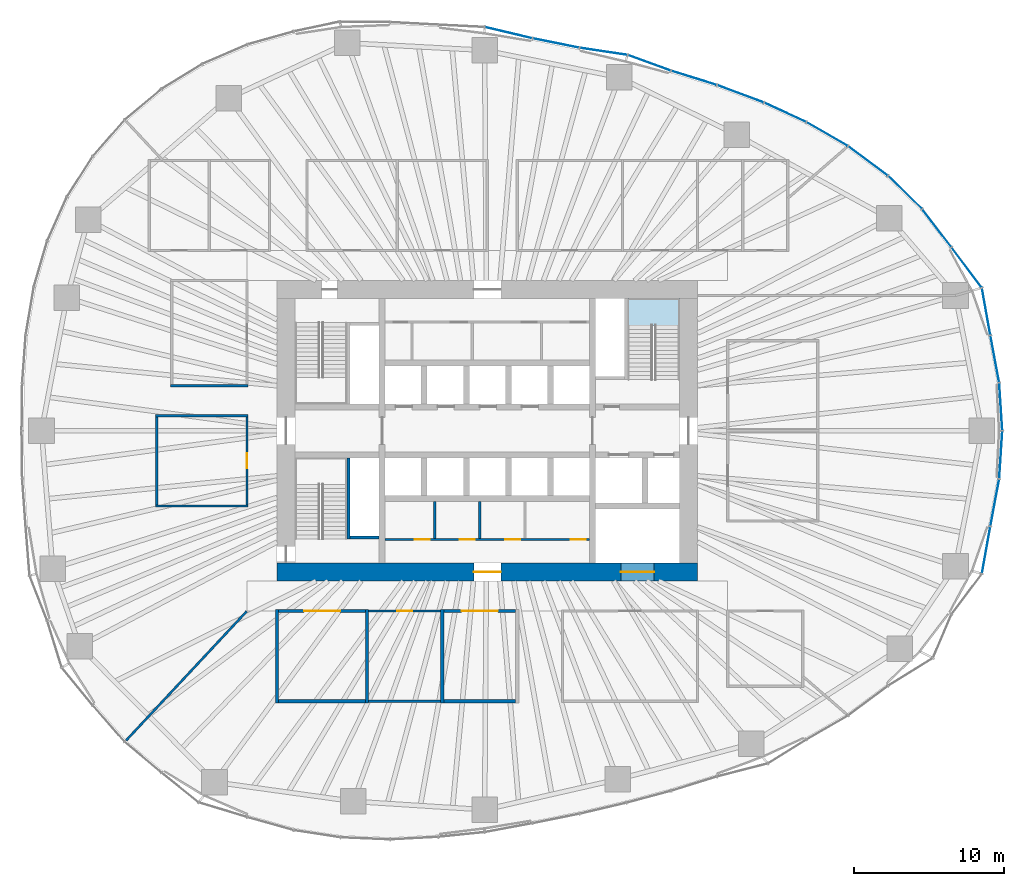
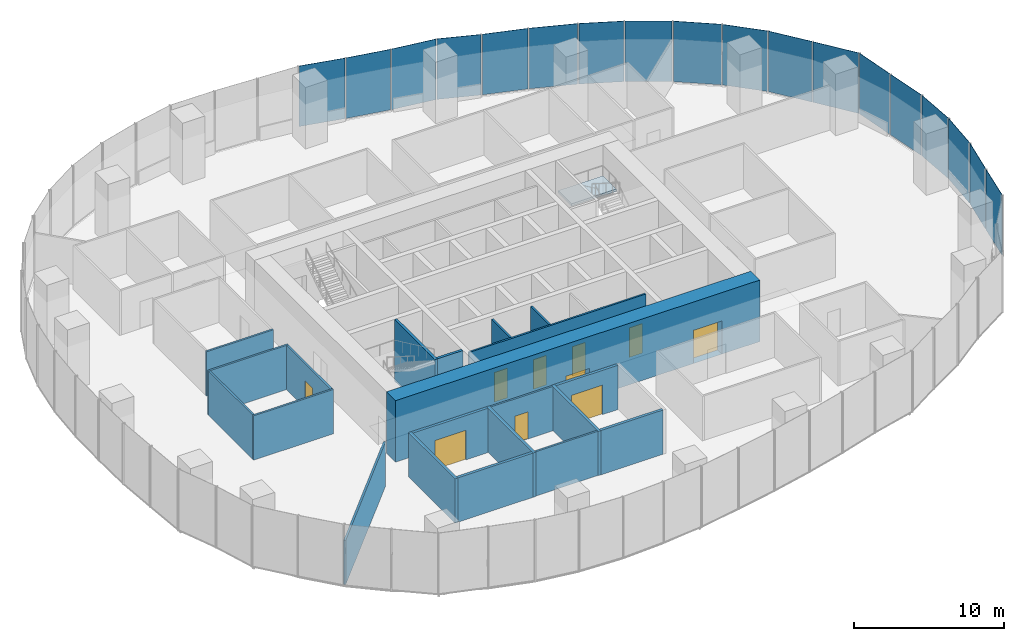
# One storey, part 9 of 19: 21 walls, 18 plates, 10 doors, 1 slab, 10 openings, 7 elements without a shape of their own.
"""IFC4 building model written with IfcOpenShell, lengths in metres."""

from ifc_helpers import new_model, si_unit, direction, frame, frame_2d, origin, origin_2d, place, context, subcontext, project, spatial, polyline, rectangle, outline, extrude, material, layer, layer_set, type_object, element, fill, aggregate, save


model = new_model("IFC4")

# Units and contexts
model_context = context("Model", 3, precision=1e-05, world=origin(), true_north=direction((0.0, 1.0)))
body_context = subcontext(model_context, "Body", "Model", "MODEL_VIEW")
ifc_project = project(units=[si_unit("LENGTHUNIT", "METRE"), si_unit("AREAUNIT", "SQUARE_METRE"), si_unit("VOLUMEUNIT", "CUBIC_METRE"), si_unit("PLANEANGLEUNIT", "RADIAN"), si_unit("MASSUNIT", "GRAM", prefix="KILO")], contexts=[model_context])

# Site, building, storey
site_placement = place(None, origin())
site = spatial("IfcSite", under=ifc_project, at=site_placement, CompositionType="ELEMENT")
building_placement = place(site_placement, origin())
building = spatial("IfcBuilding", under=site, at=building_placement, Name="Ghaith Harvest Tower", CompositionType="ELEMENT")
storey_placement = place(building_placement, frame((0.0, 0.0, 70.0)))
storey = spatial("IfcBuildingStorey", under=building, at=storey_placement, Name="L14", CompositionType="ELEMENT", Elevation=70.0)

# Curtain wall, plates
ifc_material_1 = material(Name="Black anodised aluminium and fritted glass", Category="aluminium")
curtain_wall_type = type_object("IfcCurtainWallType", Name="CW-F CURTAIN WALL", PredefinedType="NOTDEFINED", material=ifc_material_1)
curtain_wall_1_placement = place(storey_placement, origin())
curtain_wall_1 = element("IfcCurtainWall", 1, at=curtain_wall_1_placement, inside=storey, type_object=curtain_wall_type, Name="Curtain wall CW-F bay 01 L14", PredefinedType="NOTDEFINED")
ifc_material_2 = material(Name="Glass, high-transmission fritted double glazed unit", Category="glass")
ifc_layer_1 = layer(ifc_material_2, 0.028076171875)
ifc_layer_set_1 = layer_set([ifc_layer_1], Name="CW-F VISION PANEL")
plate_type = type_object("IfcPlateType", Name="CW-F VISION PANEL", PredefinedType="CURTAIN_PANEL", material=ifc_layer_set_1)
plate_1_placement = place(storey_placement, frame((34.181396484375, 1.602783203125, 0.080078125), z_axis=(0.0, 0.0, 1.0), x_axis=(-0.064445645786, 0.997921218704, 0.0)))
plate_1 = element("IfcPlate", 2, at=plate_1_placement, type_object=plate_type, Name="CW-F panel 1 bay 01 L14", PredefinedType="CURTAIN_PANEL", context=body_context, shape_type="SweptSolid", body=[
    extrude(rectangle(XDim=3.132080078125, YDim=0.028076171875, at=origin_2d()), origin(), (0.0, 0.0, 1.0), 4.919921875),
])
plate_2_placement = place(storey_placement, frame((33.78369140625, 4.78076171875, 0.080078125), z_axis=(0.0, 0.0, 1.0), x_axis=(-0.183569249502, 0.983006780565, 0.0)))
plate_2 = element("IfcPlate", 3, at=plate_2_placement, type_object=plate_type, Name="CW-F panel 2 bay 01 L14", PredefinedType="CURTAIN_PANEL", context=body_context, shape_type="SweptSolid", body=[
    extrude(rectangle(XDim=3.12548828125, YDim=0.028076171875, at=origin_2d()), origin(), (0.0, 0.0, 1.0), 4.919921875),
])
plate_3_placement = place(storey_placement, frame((33.20654296875, 7.93603515625, 0.080078125), z_axis=(0.0, 0.0, 1.0), x_axis=(-0.176319663586, 0.984332960046, 0.0)))
plate_3 = element("IfcPlate", 4, at=plate_3_placement, type_object=plate_type, Name="CW-F panel 3 bay 01 L14", PredefinedType="CURTAIN_PANEL", context=body_context, shape_type="SweptSolid", body=[
    extrude(rectangle(XDim=3.129638671875, YDim=0.028076171875, at=origin_2d()), origin(), (0.0, 0.0, 1.0), 4.919921875),
])
aggregate(curtain_wall_1, [plate_1, plate_2, plate_3])

curtain_wall_2_placement = place(storey_placement, origin())
curtain_wall_2 = element("IfcCurtainWall", 5, at=curtain_wall_2_placement, inside=storey, type_object=curtain_wall_type, Name="Curtain wall CW-F bay 02 L14", PredefinedType="NOTDEFINED")
plate_4_placement = place(storey_placement, frame((31.91015625, 10.865234375, 0.080078125), z_axis=(0.0, 0.0, 1.0), x_axis=(-0.600454091192, 0.799659230154, 0.0)))
plate_4 = element("IfcPlate", 6, at=plate_4_placement, type_object=plate_type, Name="CW-F panel 1 bay 02 L14", PredefinedType="CURTAIN_PANEL", context=body_context, shape_type="SweptSolid", body=[
    extrude(rectangle(XDim=3.295654296875, YDim=0.028076171875, at=origin_2d()), origin(), (0.0, 0.0, 1.0), 4.919921875),
])
plate_5_placement = place(storey_placement, frame((29.921875, 13.4892578125, 0.080078125), z_axis=(0.0, 0.0, 1.0), x_axis=(-0.607611877494, 0.794234100457, 0.0)))
plate_5 = element("IfcPlate", 7, at=plate_5_placement, type_object=plate_type, Name="CW-F panel 2 bay 02 L14", PredefinedType="CURTAIN_PANEL", context=body_context, shape_type="SweptSolid", body=[
    extrude(rectangle(XDim=3.128662109375, YDim=0.028076171875, at=origin_2d()), origin(), (0.0, 0.0, 1.0), 4.919921875),
])
plate_6_placement = place(storey_placement, frame((27.810546875, 15.869384765625, 0.080078125), z_axis=(0.0, 0.0, 1.0), x_axis=(-0.716691335472, 0.69739051446, 0.0)))
plate_6 = element("IfcPlate", 8, at=plate_6_placement, type_object=plate_type, Name="CW-F panel 3 bay 02 L14", PredefinedType="CURTAIN_PANEL", context=body_context, shape_type="SweptSolid", body=[
    extrude(rectangle(XDim=3.092041015625, YDim=0.028076171875, at=origin_2d()), origin(), (0.0, 0.0, 1.0), 4.919921875),
])
aggregate(curtain_wall_2, [plate_4, plate_5, plate_6])

curtain_wall_3_placement = place(storey_placement, origin())
curtain_wall_3 = element("IfcCurtainWall", 9, at=curtain_wall_3_placement, inside=storey, type_object=curtain_wall_type, Name="Curtain wall CW-F bay 03 L14", PredefinedType="NOTDEFINED")
plate_7_placement = place(storey_placement, frame((25.34619140625, 17.96142578125, 0.080078125), z_axis=(0.0, 0.0, 1.0), x_axis=(-0.802866788578, 0.596158468697, 0.0)))
plate_7 = element("IfcPlate", 10, at=plate_7_placement, type_object=plate_type, Name="CW-F panel 1 bay 03 L14", PredefinedType="CURTAIN_PANEL", context=body_context, shape_type="SweptSolid", body=[
    extrude(rectangle(XDim=3.2275390625, YDim=0.028076171875, at=origin_2d()), origin(), (0.0, 0.0, 1.0), 4.919921875),
])
plate_8_placement = place(storey_placement, frame((22.626953125, 19.750244140625, 0.080078125), z_axis=(0.0, 0.0, 1.0), x_axis=(-0.866159208358, 0.499768172033, 0.0)))
plate_8 = element("IfcPlate", 11, at=plate_8_placement, type_object=plate_type, Name="CW-F panel 2 bay 03 L14", PredefinedType="CURTAIN_PANEL", context=body_context, shape_type="SweptSolid", body=[
    extrude(rectangle(XDim=3.1328125, YDim=0.028076171875, at=origin_2d()), origin(), (0.0, 0.0, 1.0), 4.919921875),
])
plate_9_placement = place(storey_placement, frame((19.8291015625, 21.19970703125, 0.080078125), z_axis=(0.0, 0.0, 1.0), x_axis=(-0.908529586897, 0.417820523351, 0.0)))
plate_9 = element("IfcPlate", 12, at=plate_9_placement, type_object=plate_type, Name="CW-F panel 3 bay 03 L14", PredefinedType="CURTAIN_PANEL", context=body_context, shape_type="SweptSolid", body=[
    extrude(rectangle(XDim=3.01611328125, YDim=0.028076171875, at=origin_2d()), origin(), (0.0, 0.0, 1.0), 4.919921875),
])
aggregate(curtain_wall_3, [plate_7, plate_8, plate_9])

curtain_wall_4_placement = place(storey_placement, origin())
curtain_wall_4 = element("IfcCurtainWall", 13, at=curtain_wall_4_placement, inside=storey, type_object=curtain_wall_type, Name="Curtain wall CW-F bay 04 L14", PredefinedType="NOTDEFINED")
plate_10_placement = place(storey_placement, frame((16.85498046875, 22.431396484375, 0.080078125), z_axis=(0.0, 0.0, 1.0), x_axis=(-0.936926487964, 0.349526474178, 0.0)))
plate_10 = element("IfcPlate", 14, at=plate_10_placement, type_object=plate_type, Name="CW-F panel 1 bay 04 L14", PredefinedType="CURTAIN_PANEL", context=body_context, shape_type="SweptSolid", body=[
    extrude(rectangle(XDim=3.26611328125, YDim=0.028076171875, at=origin_2d()), origin(), (0.0, 0.0, 1.0), 4.919921875),
])
plate_11_placement = place(storey_placement, frame((13.760986328125, 23.490234375, 0.080078125), z_axis=(0.0, 0.0, 1.0), x_axis=(-0.954988265421, 0.296643578911, 0.0)))
plate_11 = element("IfcPlate", 15, at=plate_11_placement, type_object=plate_type, Name="CW-F panel 2 bay 04 L14", PredefinedType="CURTAIN_PANEL", context=body_context, shape_type="SweptSolid", body=[
    extrude(rectangle(XDim=3.1171875, YDim=0.028076171875, at=origin_2d()), origin(), (0.0, 0.0, 1.0), 4.919921875),
])
plate_12_placement = place(storey_placement, frame((10.793212890625, 24.490234375, 0.080078125), z_axis=(0.0, 0.0, 1.0), x_axis=(-0.939438435482, 0.342717705902, 0.0)))
plate_12 = element("IfcPlate", 16, at=plate_12_placement, type_object=plate_type, Name="CW-F panel 3 bay 04 L14", PredefinedType="CURTAIN_PANEL", context=body_context, shape_type="SweptSolid", body=[
    extrude(rectangle(XDim=2.98828125, YDim=0.028076171875, at=origin_2d()), origin(), (0.0, 0.0, 1.0), 4.919921875),
])
aggregate(curtain_wall_4, [plate_10, plate_11, plate_12])

curtain_wall_5_placement = place(storey_placement, origin())
curtain_wall_5 = element("IfcCurtainWall", 17, at=curtain_wall_5_placement, inside=storey, type_object=curtain_wall_type, Name="Curtain wall CW-F bay 05 L14", PredefinedType="NOTDEFINED")
plate_13_placement = place(storey_placement, frame((7.744384765625, 25.255615234375, 0.080078125), z_axis=(0.0, 0.0, 1.0), x_axis=(-0.989074249382, 0.147418211935, 0.0)))
plate_13 = element("IfcPlate", 18, at=plate_13_placement, type_object=plate_type, Name="CW-F panel 1 bay 05 L14", PredefinedType="CURTAIN_PANEL", context=body_context, shape_type="SweptSolid", body=[
    extrude(rectangle(XDim=3.17041015625, YDim=0.028076171875, at=origin_2d()), origin(), (0.0, 0.0, 1.0), 4.919921875),
])
plate_14_placement = place(storey_placement, frame((4.5732421875, 25.809326171875, 0.080078125), z_axis=(0.0, 0.0, 1.0), x_axis=(-0.980432348069, 0.196856320344, 0.0)))
plate_14 = element("IfcPlate", 19, at=plate_14_placement, type_object=plate_type, Name="CW-F panel 2 bay 05 L14", PredefinedType="CURTAIN_PANEL", context=body_context, shape_type="SweptSolid", body=[
    extrude(rectangle(XDim=3.1103515625, YDim=0.028076171875, at=origin_2d()), origin(), (0.0, 0.0, 1.0), 4.919921875),
])
plate_15_placement = place(storey_placement, frame((1.41259765625, 26.500244140625, 0.080078125), z_axis=(0.0, 0.0, 1.0), x_axis=(-0.97324595378, 0.229765779545, 0.0)))
plate_15 = element("IfcPlate", 20, at=plate_15_placement, type_object=plate_type, Name="CW-F panel 3 bay 05 L14", PredefinedType="CURTAIN_PANEL", context=body_context, shape_type="SweptSolid", body=[
    extrude(rectangle(XDim=3.200927734375, YDim=0.028076171875, at=origin_2d()), origin(), (0.0, 0.0, 1.0), 4.919921875),
])
aggregate(curtain_wall_5, [plate_13, plate_14, plate_15])

curtain_wall_6_placement = place(storey_placement, origin())
curtain_wall_6 = element("IfcCurtainWall", 21, at=curtain_wall_6_placement, inside=storey, type_object=curtain_wall_type, Name="Curtain wall CW-F bay 20 L14", PredefinedType="NOTDEFINED")
plate_16_placement = place(storey_placement, frame((33.20654296875, -7.93603515625, 0.080078125), z_axis=(0.0, 0.0, 1.0), x_axis=(0.176319663878, 0.984332959994, 0.0)))
plate_16 = element("IfcPlate", 22, at=plate_16_placement, type_object=plate_type, Name="CW-F panel 1 bay 20 L14", PredefinedType="CURTAIN_PANEL", context=body_context, shape_type="SweptSolid", body=[
    extrude(rectangle(XDim=3.129638671875, YDim=0.028076171875, at=origin_2d()), origin(), (0.0, 0.0, 1.0), 4.919921875),
])
plate_17_placement = place(storey_placement, frame((33.78369140625, -4.78076171875, 0.080078125), z_axis=(0.0, 0.0, 1.0), x_axis=(0.183569249777, 0.983006780514, 0.0)))
plate_17 = element("IfcPlate", 23, at=plate_17_placement, type_object=plate_type, Name="CW-F panel 2 bay 20 L14", PredefinedType="CURTAIN_PANEL", context=body_context, shape_type="SweptSolid", body=[
    extrude(rectangle(XDim=3.12548828125, YDim=0.028076171875, at=origin_2d()), origin(), (0.0, 0.0, 1.0), 4.919921875),
])
plate_18_placement = place(storey_placement, frame((34.181396484375, -1.602783203125, 0.080078125), z_axis=(0.0, 0.0, 1.0), x_axis=(0.064445645891, 0.997921218697, 0.0)))
plate_18 = element("IfcPlate", 24, at=plate_18_placement, type_object=plate_type, Name="CW-F panel 3 bay 20 L14", PredefinedType="CURTAIN_PANEL", context=body_context, shape_type="SweptSolid", body=[
    extrude(rectangle(XDim=3.132080078125, YDim=0.028076171875, at=origin_2d()), origin(), (0.0, 0.0, 1.0), 4.919921875),
])
aggregate(curtain_wall_6, [plate_16, plate_17, plate_18])

# Stair, slab
ifc_material_3 = material(Name="Concrete C40/50, precast", Category="concrete")
stair_type = type_object("IfcStairType", Name="CORE STAIR 28R", PredefinedType="HALF_TURN_STAIR", material=ifc_material_3)
stair_placement = place(storey_placement, origin())
stair = element("IfcStair", 25, at=stair_placement, inside=storey, type_object=stair_type, Name="Stair ST2 L14", PredefinedType="HALF_TURN_STAIR")
ifc_material_4 = material(Name="Concrete C40/50, precast", Category="concrete")
ifc_layer_2 = layer(ifc_material_4, 0.179931640625)
ifc_layer_set_2 = layer_set([ifc_layer_2], Name="STAIR LANDING 180")
slab_type = type_object("IfcSlabType", Name="STAIR LANDING 180", PredefinedType="LANDING", material=ifc_layer_set_2)
slab_placement = place(storey_placement, frame((0.0, 0.0, 2.320068359375)))
slab = element("IfcSlab", 26, at=slab_placement, type_object=slab_type, Name="ST2 landing 1", PredefinedType="LANDING", context=body_context, shape_type="SweptSolid", body=[
    extrude(outline(polyline([(12.800048828125, 7.02001953125), (12.800048828125, 8.800048828125), (9.35009765625, 8.800048828125), (9.35009765625, 7.02001953125), (12.800048828125, 7.02001953125)])), origin(), (0.0, 0.0, 1.0), 0.179931640625),
])
aggregate(stair, [slab])

# Walls
ifc_material_5 = material(Name="Concrete blockwork, 1-hour", Category="masonry")
ifc_layer_3 = layer(ifc_material_5, 0.215087890625)
ifc_layer_set_3 = layer_set([ifc_layer_3], Name="BLOCKWORK WALL 215")
wall_type_1 = type_object("IfcWallType", Name="BLOCKWORK WALL 215", PredefinedType="PARTITIONING", material=ifc_layer_set_3)
for number, where, z_axis, x_axis, name in (
    (27, (-14.0, -11.892578125, 0.0), (0.0, 0.0, 1.0), (0.0, -1.0, 0.0), "Partition L14 row S2 cross wall 1"),
    (28, (-8.0, -11.892578125, 0.0), (0.0, 0.0, 1.0), (0.0, -1.0, 0.0), "Partition L14 row S2 cross wall 2"),
    (29, (-3.0, -11.892578125, 0.0), (0.0, 0.0, 1.0), (0.0, -1.0, 0.0), "Partition L14 row S2 cross wall 3"),
):
    element("IfcWall", number, at=place(storey_placement, frame(where, z_axis=z_axis, x_axis=x_axis)), inside=storey, type_object=wall_type_1, Name=name, PredefinedType="PARTITIONING", context=body_context, shape_type="SweptSolid", body=[
        extrude(rectangle(XDim=6.21484375, YDim=0.215087890625, at=frame_2d((3.107421875, 0.0))), origin(), (0.0, 0.0, 1.0), 3.60009765625),
    ])

# Wall, opening, door
wall_1_placement = place(storey_placement, frame((-13.892578125, -12.0, 0.0), z_axis=(0.0, 0.0, 1.0), x_axis=(1.0, 0.0, 0.0)))
wall_1 = element("IfcWall", 30, at=wall_1_placement, inside=storey, type_object=wall_type_1, Name="Partition L14-03", PredefinedType="PARTITIONING", context=body_context, shape_type="SweptSolid", body=[
    extrude(rectangle(XDim=5.78515625, YDim=0.215087890625, at=frame_2d((2.892578125, 0.0))), origin(), (0.0, 0.0, 1.0), 3.60009765625),
])
opening_1_placement = place(wall_1_placement, frame((1.6923828125, 0.0, 0.0)))
opening_1 = element("IfcOpeningElement", 31, at=opening_1_placement, cuts=wall_1, Name="Opening 14-027", PredefinedType="OPENING", context=body_context, shape_type="SweptSolid", body=[
    extrude(rectangle(XDim=2.39990234375, YDim=2.39990234375, at=frame_2d((1.199951171875, 1.199951171875))), frame((0.0, 0.11767578125, 0.0), z_axis=(0.0, -1.0, 0.0), x_axis=(1.0, 0.0, 0.0)), (0.0, 0.0, 1.0), 0.235107421875),
])
ifc_material_6 = material(Name="Timber door", Category="wood")
door_type_1 = type_object("IfcDoorType", Name="D10 PLANT PAIR 2400x2400", OperationType="DOUBLE_DOOR_SINGLE_SWING", PredefinedType="DOOR", material=ifc_material_6)
door_1_placement = place(opening_1_placement, origin())
door_1 = element("IfcDoor", 32, at=door_1_placement, inside=storey, type_object=door_type_1, Name="Nutrient tank room door", OperationType="DOUBLE_DOOR_SINGLE_SWING", OverallHeight=2.39990234375, OverallWidth=2.39990234375, PredefinedType="DOOR", context=body_context, shape_type="SweptSolid", body=[
    extrude(rectangle(XDim=2.39990234375, YDim=2.39990234375, at=frame_2d((1.199951171875, 1.199951171875))), frame((0.0, 0.02490234375, 0.0), z_axis=(0.0, -1.0, 0.0), x_axis=(1.0, 0.0, 0.0)), (0.0, 0.0, 1.0), 0.050048828125),
])
fill(opening_1, door_1)

# Wall
wall_2_placement = place(storey_placement, frame((-13.892578125, -18.0, 0.0), z_axis=(0.0, 0.0, 1.0), x_axis=(1.0, 0.0, 0.0)))
element("IfcWall", 33, at=wall_2_placement, inside=storey, type_object=wall_type_1, Name="Partition L14-03", PredefinedType="PARTITIONING", context=body_context, shape_type="SweptSolid", body=[
    extrude(rectangle(XDim=5.78515625, YDim=0.215087890625, at=frame_2d((2.892578125, 0.0))), origin(), (0.0, 0.0, 1.0), 3.60009765625),
])

# Wall, opening, door
wall_3_placement = place(storey_placement, frame((-2.892578125, -12.0, 0.0), z_axis=(0.0, 0.0, 1.0), x_axis=(1.0, 0.0, 0.0)))
wall_3 = element("IfcWall", 34, at=wall_3_placement, inside=storey, type_object=wall_type_1, Name="Partition L14-05", PredefinedType="PARTITIONING", context=body_context, shape_type="SweptSolid", body=[
    extrude(rectangle(XDim=4.78515625, YDim=0.215087890625, at=frame_2d((2.392578125, 0.0))), origin(), (0.0, 0.0, 1.0), 3.60009765625),
])
opening_2_placement = place(wall_3_placement, frame((1.1923828125, 0.0, 0.0)))
opening_2 = element("IfcOpeningElement", 35, at=opening_2_placement, cuts=wall_3, Name="Opening 14-029", PredefinedType="OPENING", context=body_context, shape_type="SweptSolid", body=[
    extrude(rectangle(XDim=2.39990234375, YDim=2.39990234375, at=frame_2d((1.199951171875, 1.199951171875))), frame((0.0, 0.11767578125, 0.0), z_axis=(0.0, -1.0, 0.0), x_axis=(1.0, 0.0, 0.0)), (0.0, 0.0, 1.0), 0.235107421875),
])
door_2_placement = place(opening_2_placement, origin())
door_2 = element("IfcDoor", 36, at=door_2_placement, inside=storey, type_object=door_type_1, Name="Pump room door", OperationType="DOUBLE_DOOR_SINGLE_SWING", OverallHeight=2.39990234375, OverallWidth=2.39990234375, PredefinedType="DOOR", context=body_context, shape_type="SweptSolid", body=[
    extrude(rectangle(XDim=2.39990234375, YDim=2.39990234375, at=frame_2d((1.199951171875, 1.199951171875))), frame((0.0, 0.02490234375, 0.0), z_axis=(0.0, -1.0, 0.0), x_axis=(1.0, 0.0, 0.0)), (0.0, 0.0, 1.0), 0.050048828125),
])
fill(opening_2, door_2)

# Wall
wall_4_placement = place(storey_placement, frame((-2.892578125, -18.0, 0.0), z_axis=(0.0, 0.0, 1.0), x_axis=(1.0, 0.0, 0.0)))
element("IfcWall", 37, at=wall_4_placement, inside=storey, type_object=wall_type_1, Name="Partition L14-05", PredefinedType="PARTITIONING", context=body_context, shape_type="SweptSolid", body=[
    extrude(rectangle(XDim=4.78515625, YDim=0.215087890625, at=frame_2d((2.392578125, 0.0))), origin(), (0.0, 0.0, 1.0), 3.60009765625),
])

# Wall, openings, doors
ifc_material_7 = material(Name="Concrete blockwork, fair-faced", Category="masonry")
ifc_layer_4 = layer(ifc_material_7, 0.139892578125)
ifc_layer_set_4 = layer_set([ifc_layer_4], Name="CORE PARTITION 140")
wall_type_2 = type_object("IfcWallType", Name="CORE PARTITION 140", PredefinedType="PARTITIONING", material=ifc_layer_set_4)
wall_5_placement = place(storey_placement, frame((-6.800048828125, -7.22998046875, 0.0), z_axis=(0.0, 0.0, 1.0), x_axis=(1.0, 0.0, 0.0)))
wall_5 = element("IfcWall", 38, at=wall_5_placement, inside=storey, type_object=wall_type_2, Name="Core partition L14", PredefinedType="PARTITIONING", context=body_context, shape_type="SweptSolid", body=[
    extrude(rectangle(XDim=13.60009765625, YDim=0.139892578125, at=frame_2d((6.800048828125, 0.0))), origin(), (0.0, 0.0, 1.0), 4.75),
])
opening_3_placement = place(wall_5_placement, frame((1.97998046875, 0.0, 0.0)))
opening_3 = element("IfcOpeningElement", 39, at=opening_3_placement, cuts=wall_5, Name="Opening 14-012", PredefinedType="OPENING", context=body_context, shape_type="SweptSolid", body=[
    extrude(rectangle(XDim=1.0, YDim=2.39990234375, at=frame_2d((0.5, 1.199951171875))), frame((0.0, 0.080078125, 0.0), z_axis=(0.0, -1.0, 0.0), x_axis=(1.0, 0.0, 0.0)), (0.0, 0.0, 1.0), 0.159912109375),
])
opening_4_placement = place(wall_5_placement, frame((4.97998046875, 0.0, 0.0)))
opening_4 = element("IfcOpeningElement", 40, at=opening_4_placement, cuts=wall_5, Name="Opening 14-013", PredefinedType="OPENING", context=body_context, shape_type="SweptSolid", body=[
    extrude(rectangle(XDim=1.0, YDim=2.39990234375, at=frame_2d((0.5, 1.199951171875))), frame((0.0, 0.080078125, 0.0), z_axis=(0.0, -1.0, 0.0), x_axis=(1.0, 0.0, 0.0)), (0.0, 0.0, 1.0), 0.159912109375),
])
opening_5_placement = place(wall_5_placement, frame((7.97998046875, 0.0, 0.0)))
opening_5 = element("IfcOpeningElement", 41, at=opening_5_placement, cuts=wall_5, Name="Opening 14-014", PredefinedType="OPENING", context=body_context, shape_type="SweptSolid", body=[
    extrude(rectangle(XDim=1.0, YDim=2.39990234375, at=frame_2d((0.5, 1.199951171875))), frame((0.0, 0.080078125, 0.0), z_axis=(0.0, -1.0, 0.0), x_axis=(1.0, 0.0, 0.0)), (0.0, 0.0, 1.0), 0.159912109375),
])
opening_6_placement = place(wall_5_placement, frame((12.35009765625, 0.0, 0.0)))
opening_6 = element("IfcOpeningElement", 42, at=opening_6_placement, cuts=wall_5, Name="Opening 14-015", PredefinedType="OPENING", context=body_context, shape_type="SweptSolid", body=[
    extrude(rectangle(XDim=1.0, YDim=2.39990234375, at=frame_2d((0.5, 1.199951171875))), frame((0.0, 0.080078125, 0.0), z_axis=(0.0, -1.0, 0.0), x_axis=(1.0, 0.0, 0.0)), (0.0, 0.0, 1.0), 0.159912109375),
])
ifc_material_8 = material(Name="Steel fire door", Category="steel")
door_type_2 = type_object("IfcDoorType", Name="D3 FD90 1000x2400", OperationType="SINGLE_SWING_LEFT", PredefinedType="DOOR", material=ifc_material_8)
door_3_placement = place(opening_3_placement, origin())
door_3 = element("IfcDoor", 43, at=door_3_placement, inside=storey, type_object=door_type_2, Name="Electrical room door", OperationType="SINGLE_SWING_LEFT", OverallHeight=2.39990234375, OverallWidth=1.0, PredefinedType="DOOR", context=body_context, shape_type="SweptSolid", body=[
    extrude(rectangle(XDim=1.0, YDim=2.39990234375, at=frame_2d((0.5, 1.199951171875))), frame((0.0, 0.02490234375, 0.0), z_axis=(0.0, -1.0, 0.0), x_axis=(1.0, 0.0, 0.0)), (0.0, 0.0, 1.0), 0.050048828125),
])
fill(opening_3, door_3)
door_4_placement = place(opening_4_placement, origin())
door_4 = element("IfcDoor", 44, at=door_4_placement, inside=storey, type_object=door_type_2, Name="IT equipment room door", OperationType="SINGLE_SWING_LEFT", OverallHeight=2.39990234375, OverallWidth=1.0, PredefinedType="DOOR", context=body_context, shape_type="SweptSolid", body=[
    extrude(rectangle(XDim=1.0, YDim=2.39990234375, at=frame_2d((0.5, 1.199951171875))), frame((0.0, 0.02490234375, 0.0), z_axis=(0.0, -1.0, 0.0), x_axis=(1.0, 0.0, 0.0)), (0.0, 0.0, 1.0), 0.050048828125),
])
fill(opening_4, door_4)
door_5_placement = place(opening_5_placement, origin())
door_5 = element("IfcDoor", 45, at=door_5_placement, inside=storey, type_object=door_type_2, Name="Tea point door", OperationType="SINGLE_SWING_RIGHT", OverallHeight=2.39990234375, OverallWidth=1.0, PredefinedType="DOOR", context=body_context, shape_type="SweptSolid", body=[
    extrude(rectangle(XDim=1.0, YDim=2.39990234375, at=frame_2d((0.5, 1.199951171875))), frame((0.0, 0.02490234375, 0.0), z_axis=(0.0, -1.0, 0.0), x_axis=(1.0, 0.0, 0.0)), (0.0, 0.0, 1.0), 0.050048828125),
])
fill(opening_5, door_5)
door_6_placement = place(opening_6_placement, origin())
door_6 = element("IfcDoor", 46, at=door_6_placement, inside=storey, type_object=door_type_2, Name="Riser room door", OperationType="SINGLE_SWING_RIGHT", OverallHeight=2.39990234375, OverallWidth=1.0, PredefinedType="DOOR", context=body_context, shape_type="SweptSolid", body=[
    extrude(rectangle(XDim=1.0, YDim=2.39990234375, at=frame_2d((0.5, 1.199951171875))), frame((0.0, 0.02490234375, 0.0), z_axis=(0.0, -1.0, 0.0), x_axis=(1.0, 0.0, 0.0)), (0.0, 0.0, 1.0), 0.050048828125),
])
fill(opening_6, door_6)

# Walls
for number, where, z_axis, x_axis, name in (
    (47, (-3.5, -4.699951171875, 0.0), (0.0, 0.0, 1.0), (0.0, -1.0, 0.0), "Core partition L14"),
    (48, (-0.5, -4.699951171875, 0.0), (0.0, 0.0, 1.0), (0.0, -1.0, 0.0), "Core partition L14"),
):
    element("IfcWall", number, at=place(storey_placement, frame(where, z_axis=z_axis, x_axis=x_axis)), inside=storey, type_object=wall_type_2, Name=name, PredefinedType="PARTITIONING", context=body_context, shape_type="SweptSolid", body=[
        extrude(rectangle(XDim=2.4599609375, YDim=0.139892578125, at=frame_2d((1.22998046875, 0.0))), origin(), (0.0, 0.0, 1.0), 4.75),
    ])

# Wall, openings, doors
ifc_material_9 = material(Name="Concrete C70/85", Category="concrete")
ifc_layer_5 = layer(ifc_material_9, 1.199951171875)
ifc_layer_set_5 = layer_set([ifc_layer_5], Name="CORE WALL CW1200")
wall_type_3 = type_object("IfcWallType", Name="CORE WALL CW1200", PredefinedType="SHEAR", material=ifc_layer_set_5)
wall_6_placement = place(storey_placement, frame((-14.0, -9.39990234375, 0.0), z_axis=(0.0, 0.0, 1.0), x_axis=(1.0, 0.0, 0.0)))
wall_6 = element("IfcWall", 49, at=wall_6_placement, inside=storey, type_object=wall_type_3, Name="Core wall S L14", PredefinedType="SHEAR", context=body_context, shape_type="SweptSolid", body=[
    extrude(rectangle(XDim=28.0, YDim=1.199951171875, at=frame_2d((14.0, 0.0))), origin(), (0.0, 0.0, 1.0), 5.0),
])
opening_7_placement = place(wall_6_placement, frame((13.10009765625, 0.0, 0.0)))
opening_7 = element("IfcOpeningElement", 50, at=opening_7_placement, cuts=wall_6, Name="Opening 14-017", PredefinedType="OPENING", context=body_context, shape_type="SweptSolid", body=[
    extrude(rectangle(XDim=1.800048828125, YDim=2.39990234375, at=frame_2d((0.89990234375, 1.199951171875))), frame((0.0, 0.60986328125, 0.0), z_axis=(0.0, -1.0, 0.0), x_axis=(1.0, 0.0, 0.0)), (0.0, 0.0, 1.0), 1.219970703125),
])
opening_8_placement = place(wall_6_placement, frame((22.89990234375, 0.0, 0.0)))
opening_8 = element("IfcOpeningElement", 51, at=opening_8_placement, cuts=wall_6, Name="Opening 14-024", PredefinedType="OPENING", context=body_context, shape_type="SweptSolid", body=[
    extrude(rectangle(XDim=2.199951171875, YDim=2.699951171875, at=frame_2d((1.10009765625, 1.35009765625))), frame((0.0, 0.60986328125, 0.0), z_axis=(0.0, -1.0, 0.0), x_axis=(1.0, 0.0, 0.0)), (0.0, 0.0, 1.0), 1.219970703125),
])
ifc_material_10 = material(Name="Steel fire door", Category="steel")
door_type_3 = type_object("IfcDoorType", Name="D4 FD90 PAIR 1800x2400", OperationType="DOUBLE_DOOR_SINGLE_SWING", PredefinedType="DOOR", material=ifc_material_10)
door_7_placement = place(opening_7_placement, origin())
door_7 = element("IfcDoor", 52, at=door_7_placement, inside=storey, type_object=door_type_3, Name="Core service corridor doors", OperationType="DOUBLE_DOOR_SINGLE_SWING", OverallHeight=2.39990234375, OverallWidth=1.800048828125, PredefinedType="DOOR", context=body_context, shape_type="SweptSolid", body=[
    extrude(rectangle(XDim=1.800048828125, YDim=2.39990234375, at=frame_2d((0.89990234375, 1.199951171875))), frame((0.0, 0.02490234375, 0.0), z_axis=(0.0, -1.0, 0.0), x_axis=(1.0, 0.0, 0.0)), (0.0, 0.0, 1.0), 0.050048828125),
])
fill(opening_7, door_7)
ifc_material_11 = material(Name="Steel fire door", Category="steel")
door_type_4 = type_object("IfcDoorType", Name="LD3 LANDING 2200x2700", OperationType="DOUBLE_DOOR_SLIDING", PredefinedType="DOOR", material=ifc_material_11)
door_8_placement = place(opening_8_placement, origin())
door_8 = element("IfcDoor", 53, at=door_8_placement, inside=storey, type_object=door_type_4, Name="Landing door, goods lift GL1", OperationType="DOUBLE_DOOR_SLIDING", OverallHeight=2.699951171875, OverallWidth=2.199951171875, PredefinedType="DOOR", context=body_context, shape_type="SweptSolid", body=[
    extrude(rectangle(XDim=2.199951171875, YDim=2.699951171875, at=frame_2d((1.10009765625, 1.35009765625))), frame((0.0, 0.02490234375, 0.0), z_axis=(0.0, -1.0, 0.0), x_axis=(1.0, 0.0, 0.0)), (0.0, 0.0, 1.0), 0.050048828125),
])
fill(opening_8, door_8)

# Wall, opening, door
ifc_material_12 = material(Name="Gypsum board on steel studs", Category="steel")
ifc_layer_6 = layer(ifc_material_12, 0.14990234375)
ifc_layer_set_6 = layer_set([ifc_layer_6], Name="PARTITION 150")
wall_type_4 = type_object("IfcWallType", Name="PARTITION 150", PredefinedType="PARTITIONING", material=ifc_layer_set_6)
wall_7_placement = place(storey_placement, frame((-7.892578125, -12.0, 0.0), z_axis=(0.0, 0.0, 1.0), x_axis=(1.0, 0.0, 0.0)))
wall_7 = element("IfcWall", 54, at=wall_7_placement, inside=storey, type_object=wall_type_4, Name="Partition L14-04", PredefinedType="PARTITIONING", context=body_context, shape_type="SweptSolid", body=[
    extrude(rectangle(XDim=4.78515625, YDim=0.14990234375, at=frame_2d((2.392578125, 0.0))), origin(), (0.0, 0.0, 1.0), 3.60009765625),
])
opening_9_placement = place(wall_7_placement, frame((1.892578125, 0.0, 0.0)))
opening_9 = element("IfcOpeningElement", 55, at=opening_9_placement, cuts=wall_7, Name="Opening 14-028", PredefinedType="OPENING", context=body_context, shape_type="SweptSolid", body=[
    extrude(rectangle(XDim=1.0, YDim=2.199951171875, at=frame_2d((0.5, 1.10009765625))), frame((0.0, 0.0849609375, 0.0), z_axis=(0.0, -1.0, 0.0), x_axis=(1.0, 0.0, 0.0)), (0.0, 0.0, 1.0), 0.169921875),
])
ifc_material_13 = material(Name="Timber door", Category="wood")
door_type_5 = type_object("IfcDoorType", Name="D1 SINGLE 1000x2200", OperationType="SINGLE_SWING_LEFT", PredefinedType="DOOR", material=ifc_material_13)
door_9_placement = place(opening_9_placement, origin())
door_9 = element("IfcDoor", 56, at=door_9_placement, inside=storey, type_object=door_type_5, Name="Pest control store door", OperationType="SINGLE_SWING_LEFT", OverallHeight=2.199951171875, OverallWidth=1.0, PredefinedType="DOOR", context=body_context, shape_type="SweptSolid", body=[
    extrude(rectangle(XDim=1.0, YDim=2.199951171875, at=frame_2d((0.5, 1.10009765625))), frame((0.0, 0.02490234375, 0.0), z_axis=(0.0, -1.0, 0.0), x_axis=(1.0, 0.0, 0.0)), (0.0, 0.0, 1.0), 0.050048828125),
])
fill(opening_9, door_9)

# Walls
wall_8_placement = place(storey_placement, frame((-7.892578125, -18.0, 0.0), z_axis=(0.0, 0.0, 1.0), x_axis=(1.0, 0.0, 0.0)))
element("IfcWall", 57, at=wall_8_placement, inside=storey, type_object=wall_type_4, Name="Partition L14-04", PredefinedType="PARTITIONING", context=body_context, shape_type="SweptSolid", body=[
    extrude(rectangle(XDim=4.78515625, YDim=0.14990234375, at=frame_2d((2.392578125, 0.0))), origin(), (0.0, 0.0, 1.0), 3.60009765625),
])
for number, where, z_axis, x_axis, name in (
    (58, (-15.925048828125, -5.0, 0.0), (0.0, 0.0, 1.0), (-1.0, 0.0, 0.0), "Partition L14 row W4 cross wall 1"),
    (59, (-15.925048828125, 1.0, 0.0), (0.0, 0.0, 1.0), (-1.0, 0.0, 0.0), "Partition L14 row W4 cross wall 2"),
):
    element("IfcWall", number, at=place(storey_placement, frame(where, z_axis=z_axis, x_axis=x_axis)), inside=storey, type_object=wall_type_4, Name=name, PredefinedType="PARTITIONING", context=body_context, shape_type="SweptSolid", body=[
        extrude(rectangle(XDim=6.14990234375, YDim=0.14990234375, at=frame_2d((3.074951171875, 0.0))), origin(), (0.0, 0.0, 1.0), 3.60009765625),
    ])

# Wall, opening, door
wall_9_placement = place(storey_placement, frame((-16.0, -4.925048828125, 0.0), z_axis=(0.0, 0.0, 1.0), x_axis=(0.0, 1.0, 0.0)))
wall_9 = element("IfcWall", 60, at=wall_9_placement, inside=storey, type_object=wall_type_4, Name="Partition L14-07", PredefinedType="PARTITIONING", context=body_context, shape_type="SweptSolid", body=[
    extrude(rectangle(XDim=5.85009765625, YDim=0.14990234375, at=frame_2d((2.925048828125, 0.0))), origin(), (0.0, 0.0, 1.0), 3.60009765625),
])
opening_10_placement = place(wall_9_placement, frame((2.425048828125, 0.0, 0.0)))
opening_10 = element("IfcOpeningElement", 61, at=opening_10_placement, cuts=wall_9, Name="Opening 14-031", PredefinedType="OPENING", context=body_context, shape_type="SweptSolid", body=[
    extrude(rectangle(XDim=1.0, YDim=2.199951171875, at=frame_2d((0.5, 1.10009765625))), frame((0.0, 0.0849609375, 0.0), z_axis=(0.0, -1.0, 0.0), x_axis=(1.0, 0.0, 0.0)), (0.0, 0.0, 1.0), 0.169921875),
])
door_10_placement = place(opening_10_placement, origin())
door_10 = element("IfcDoor", 62, at=door_10_placement, inside=storey, type_object=door_type_5, Name="Staff room door", OperationType="SINGLE_SWING_LEFT", OverallHeight=2.199951171875, OverallWidth=1.0, PredefinedType="DOOR", context=body_context, shape_type="SweptSolid", body=[
    extrude(rectangle(XDim=1.0, YDim=2.199951171875, at=frame_2d((0.5, 1.10009765625))), frame((0.0, 0.02490234375, 0.0), z_axis=(0.0, -1.0, 0.0), x_axis=(1.0, 0.0, 0.0)), (0.0, 0.0, 1.0), 0.050048828125),
])
fill(opening_10, door_10)

# Walls
wall_10_placement = place(storey_placement, frame((-22.0, -4.925048828125, 0.0), z_axis=(0.0, 0.0, 1.0), x_axis=(0.0, 1.0, 0.0)))
element("IfcWall", 63, at=wall_10_placement, inside=storey, type_object=wall_type_4, Name="Partition L14-07", PredefinedType="PARTITIONING", context=body_context, shape_type="SweptSolid", body=[
    extrude(rectangle(XDim=5.85009765625, YDim=0.14990234375, at=frame_2d((2.925048828125, 0.0))), origin(), (0.0, 0.0, 1.0), 3.60009765625),
])
wall_11_placement = place(storey_placement, frame((-15.925048828125, 3.0, 0.0), z_axis=(0.0, 0.0, 1.0), x_axis=(-1.0, 0.0, 0.0)))
element("IfcWall", 64, at=wall_11_placement, inside=storey, type_object=wall_type_4, Name="Partition L14 row W9 cross wall 1", PredefinedType="PARTITIONING", context=body_context, shape_type="SweptSolid", body=[
    extrude(rectangle(XDim=5.14990234375, YDim=0.14990234375, at=frame_2d((2.574951171875, 0.0))), origin(), (0.0, 0.0, 1.0), 3.60009765625),
])
wall_12_placement = place(storey_placement, frame((-16.013671875, -12.0146484375, 0.0), z_axis=(0.0, 0.0, 1.0), x_axis=(-0.682522513656, -0.730864569091, 0.0)))
element("IfcWall", 65, at=wall_12_placement, inside=storey, type_object=wall_type_4, Name="Partition L14 zone division", PredefinedType="PARTITIONING", context=body_context, shape_type="SweptSolid", body=[
    extrude(rectangle(XDim=11.751953125, YDim=0.14990234375, at=frame_2d((5.8759765625, 0.0))), origin(), (0.0, 0.0, 1.0), 3.60009765625),
])
ifc_material_14 = material(Name="Concrete C40/50", Category="concrete")
ifc_layer_7 = layer(ifc_material_14, 0.199951171875)
ifc_layer_set_7 = layer_set([ifc_layer_7], Name="STAIR SPINE WALL RC200")
wall_type_5 = type_object("IfcWallType", Name="STAIR SPINE WALL RC200", PredefinedType="SOLIDWALL", material=ifc_layer_set_7)
wall_13_placement = place(storey_placement, frame((-9.25, -7.199951171875, 0.0), z_axis=(0.0, 0.0, 1.0), x_axis=(0.0, 1.0, 0.0)))
element("IfcWall", 66, at=wall_13_placement, inside=storey, type_object=wall_type_5, Name="Stair ST3 spine wall L14", PredefinedType="SOLIDWALL", context=body_context, shape_type="SweptSolid", body=[
    extrude(rectangle(XDim=5.39990234375, YDim=0.199951171875, at=frame_2d((2.699951171875, 0.0))), origin(), (0.0, 0.0, 1.0), 5.0),
])
wall_14_placement = place(storey_placement, frame((-9.14990234375, -7.10009765625, 0.0), z_axis=(0.0, 0.0, 1.0), x_axis=(1.0, 0.0, 0.0)))
element("IfcWall", 67, at=wall_14_placement, inside=storey, type_object=wall_type_5, Name="Stair ST3 spine wall return L14", PredefinedType="SOLIDWALL", context=body_context, shape_type="SweptSolid", body=[
    extrude(rectangle(XDim=1.949951171875, YDim=0.199951171875, at=frame_2d((0.97509765625, 0.0))), origin(), (0.0, 0.0, 1.0), 5.0),
])

save(model, "model.ifc")
